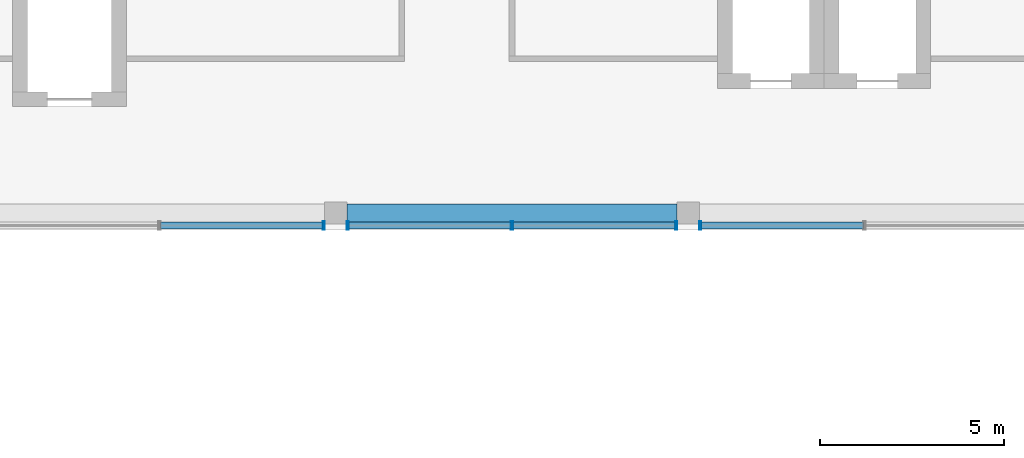
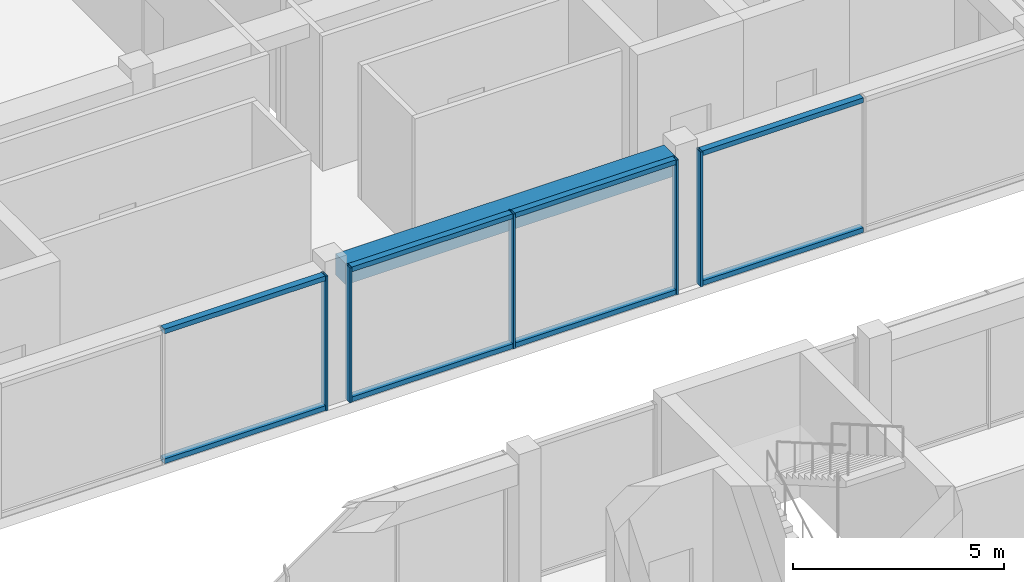
# One storey, part 10 of 28: 13 members, 1 beam, 3 elements without a shape of their own.
"""IFC4 building model written with IfcOpenShell, lengths in metres."""

from ifc_helpers import new_model, si_unit, direction, frame, origin, origin_2d, place, context, subcontext, project, spatial, rectangle, hollow_rectangle, extrude, material, layer, layer_set, material_profile, profile_set, type_object, element, aggregate, save


model = new_model("IFC4")

# Units and contexts
model_context = context("Model", 3, precision=1e-05, world=origin(), true_north=direction((0.0, 1.0)))
body_context = subcontext(model_context, "Body", "Model", "MODEL_VIEW")
ifc_project = project(units=[si_unit("LENGTHUNIT", "METRE"), si_unit("AREAUNIT", "SQUARE_METRE"), si_unit("VOLUMEUNIT", "CUBIC_METRE"), si_unit("PLANEANGLEUNIT", "RADIAN"), si_unit("MASSUNIT", "GRAM", prefix="KILO")], contexts=[model_context])

# Site, building, storey
site_placement = place(None, origin())
site = spatial("IfcSite", under=ifc_project, at=site_placement, CompositionType="ELEMENT")
building_placement = place(site_placement, origin())
building = spatial("IfcBuilding", under=site, at=building_placement, Name="Nzadi Deep Aquarium and Research Tower", CompositionType="ELEMENT")
storey_placement = place(building_placement, frame((0.0, 0.0, 73.89990234375)))
storey = spatial("IfcBuildingStorey", under=building, at=storey_placement, Name="L15", CompositionType="ELEMENT", Elevation=73.89990234375)

# Curtain wall, member
ifc_material_1 = material(Name="Aluminium unitised frame deep", Category="aluminium")
ifc_layer = layer(ifc_material_1, 0.22509765625)
ifc_layer_set = layer_set([ifc_layer], Name="Aluminium unitised frame deep")
curtain_wall_type = type_object("IfcCurtainWallType", Name="Curtain wall Unitised Deep 225", PredefinedType="NOTDEFINED", material=ifc_layer_set)
curtain_wall_1_placement = place(storey_placement, origin())
curtain_wall_1 = element("IfcCurtainWall", 1, at=curtain_wall_1_placement, inside=storey, type_object=curtain_wall_type, Name="Unitised curtain wall blade B south L15", PredefinedType="NOTDEFINED")
ifc_material_2 = material(Name="Aluminium unitised frame deep", Category="aluminium")
ifc_material_profile_1 = material_profile(ifc_material_2, hollow_rectangle(XDim=0.22509765625, YDim=0.06005859375, WallThickness=0.0048828125, at=origin_2d()))
ifc_profile_set_1 = profile_set([ifc_material_profile_1], Name="Aluminium unitised frame deep")
member_type_1 = type_object("IfcMemberType", Name="Mullion 60x225 Unitised Deep", PredefinedType="MULLION", material=ifc_profile_set_1)
member_1_placement = place(storey_placement, frame((18.8701171875, 27.262451171875, 0.0), z_axis=(0.0, 0.0, 1.0), x_axis=(0.0, 1.0, 0.0)))
member_1 = element("IfcMember", 2, at=member_1_placement, type_object=member_type_1, Name="CW185 mullion 3", PredefinedType="MULLION", context=body_context, shape_type="SweptSolid", body=[
    extrude(hollow_rectangle(XDim=0.22509765625, YDim=0.06005859375, WallThickness=0.0048828125, at=origin_2d()), origin(), (0.0, 0.0, 1.0), 3.900146484375),
])

# Curtain wall, members
curtain_wall_2_placement = place(storey_placement, origin())
curtain_wall_2 = element("IfcCurtainWall", 3, at=curtain_wall_2_placement, inside=storey, type_object=curtain_wall_type, Name="Unitised curtain wall blade B south L15", PredefinedType="NOTDEFINED")
member_2_placement = place(storey_placement, frame((19.530029296875, 27.262451171875, 0.0), z_axis=(0.0, 0.0, 1.0), x_axis=(0.0, 1.0, 0.0)))
member_2 = element("IfcMember", 4, at=member_2_placement, type_object=member_type_1, Name="CW186 mullion 1", PredefinedType="MULLION", context=body_context, shape_type="SweptSolid", body=[
    extrude(hollow_rectangle(XDim=0.22509765625, YDim=0.06005859375, WallThickness=0.0048828125, at=origin_2d()), origin(), (0.0, 0.0, 1.0), 3.900146484375),
])
member_3_placement = place(storey_placement, frame((24.0, 27.262451171875, 0.0), z_axis=(0.0, 0.0, 1.0), x_axis=(0.0, 1.0, 0.0)))
member_3 = element("IfcMember", 5, at=member_3_placement, type_object=member_type_1, Name="CW186 mullion 2", PredefinedType="MULLION", context=body_context, shape_type="SweptSolid", body=[
    extrude(hollow_rectangle(XDim=0.22509765625, YDim=0.06005859375, WallThickness=0.0048828125, at=origin_2d()), origin(), (0.0, 0.0, 1.0), 3.900146484375),
])
member_4_placement = place(storey_placement, frame((28.469970703125, 27.262451171875, 0.0), z_axis=(0.0, 0.0, 1.0), x_axis=(0.0, 1.0, 0.0)))
member_4 = element("IfcMember", 6, at=member_4_placement, type_object=member_type_1, Name="CW186 mullion 3", PredefinedType="MULLION", context=body_context, shape_type="SweptSolid", body=[
    extrude(hollow_rectangle(XDim=0.22509765625, YDim=0.06005859375, WallThickness=0.0048828125, at=origin_2d()), origin(), (0.0, 0.0, 1.0), 3.900146484375),
])

# Curtain wall, member
curtain_wall_3_placement = place(storey_placement, origin())
curtain_wall_3 = element("IfcCurtainWall", 7, at=curtain_wall_3_placement, inside=storey, type_object=curtain_wall_type, Name="Unitised curtain wall blade B south L15", PredefinedType="NOTDEFINED")
member_5_placement = place(storey_placement, frame((29.1298828125, 27.262451171875, 0.0), z_axis=(0.0, 0.0, 1.0), x_axis=(0.0, 1.0, 0.0)))
member_5 = element("IfcMember", 8, at=member_5_placement, type_object=member_type_1, Name="CW187 mullion 1", PredefinedType="MULLION", context=body_context, shape_type="SweptSolid", body=[
    extrude(hollow_rectangle(XDim=0.22509765625, YDim=0.06005859375, WallThickness=0.0048828125, at=origin_2d()), origin(), (0.0, 0.0, 1.0), 3.900146484375),
])

# Beam
ifc_material_3 = material(Name="Concrete C35/45", Category="concrete")
ifc_material_profile_2 = material_profile(ifc_material_3, rectangle(XDim=0.5, YDim=0.60009765625, at=origin_2d()))
ifc_profile_set_2 = profile_set([ifc_material_profile_2], Name="Concrete C35/45")
beam_type = type_object("IfcBeamType", Name="RC 500x600", PredefinedType="BEAM", material=ifc_profile_set_2)
beam_placement = place(storey_placement, frame((19.5, 27.60009765625, 3.60009765625), z_axis=(1.0, 0.0, 0.0), x_axis=(0.0, 1.0, 0.0)))
element("IfcBeam", 9, at=beam_placement, inside=storey, type_object=beam_type, Name="B-Z1-L15-L4-3", PredefinedType="BEAM", context=body_context, shape_type="SweptSolid", body=[
    extrude(rectangle(XDim=0.5, YDim=0.60009765625, at=origin_2d()), origin(), (0.0, 0.0, 1.0), 9.0),
])

# Member
ifc_material_4 = material(Name="Aluminium unitised frame deep", Category="aluminium")
ifc_material_profile_3 = material_profile(ifc_material_4, hollow_rectangle(XDim=0.179931640625, YDim=0.139892578125, WallThickness=0.0048828125, at=origin_2d()))
ifc_profile_set_3 = profile_set([ifc_material_profile_3], Name="Aluminium unitised frame deep")
member_type_2 = type_object("IfcMemberType", Name="Transom 140x180 Unitised Deep", PredefinedType="MULLION", material=ifc_profile_set_3)
member_6_placement = place(storey_placement, frame((14.429931640625, 27.262451171875, 0.070068359375), z_axis=(1.0, 0.0, 0.0), x_axis=(0.0, 1.0, 0.0)))
member_6 = element("IfcMember", 10, at=member_6_placement, type_object=member_type_2, Name="CW185 transom 2.1", PredefinedType="MULLION", context=body_context, shape_type="SweptSolid", body=[
    extrude(hollow_rectangle(XDim=0.179931640625, YDim=0.139892578125, WallThickness=0.0048828125, at=origin_2d()), origin(), (0.0, 0.0, 1.0), 4.41015625),
])

member_7_placement = place(storey_placement, frame((14.429931640625, 27.262451171875, 3.830078125), z_axis=(1.0, 0.0, 0.0), x_axis=(0.0, 1.0, 0.0)))
member_7 = element("IfcMember", 11, at=member_7_placement, type_object=member_type_2, Name="CW185 transom 2.2", PredefinedType="MULLION", context=body_context, shape_type="SweptSolid", body=[
    extrude(hollow_rectangle(XDim=0.179931640625, YDim=0.139892578125, WallThickness=0.0048828125, at=origin_2d()), origin(), (0.0, 0.0, 1.0), 4.41015625),
])

aggregate(curtain_wall_1, [member_1, member_6, member_7])

member_8_placement = place(storey_placement, frame((19.56005859375, 27.262451171875, 0.070068359375), z_axis=(1.0, 0.0, 0.0), x_axis=(0.0, 1.0, 0.0)))
member_8 = element("IfcMember", 12, at=member_8_placement, type_object=member_type_2, Name="CW186 transom 1.1", PredefinedType="MULLION", context=body_context, shape_type="SweptSolid", body=[
    extrude(hollow_rectangle(XDim=0.179931640625, YDim=0.139892578125, WallThickness=0.0048828125, at=origin_2d()), origin(), (0.0, 0.0, 1.0), 4.409912109375),
])

member_9_placement = place(storey_placement, frame((19.56005859375, 27.262451171875, 3.830078125), z_axis=(1.0, 0.0, 0.0), x_axis=(0.0, 1.0, 0.0)))
member_9 = element("IfcMember", 13, at=member_9_placement, type_object=member_type_2, Name="CW186 transom 1.2", PredefinedType="MULLION", context=body_context, shape_type="SweptSolid", body=[
    extrude(hollow_rectangle(XDim=0.179931640625, YDim=0.139892578125, WallThickness=0.0048828125, at=origin_2d()), origin(), (0.0, 0.0, 1.0), 4.409912109375),
])

member_10_placement = place(storey_placement, frame((24.030029296875, 27.262451171875, 0.070068359375), z_axis=(1.0, 0.0, 0.0), x_axis=(0.0, 1.0, 0.0)))
member_10 = element("IfcMember", 14, at=member_10_placement, type_object=member_type_2, Name="CW186 transom 2.1", PredefinedType="MULLION", context=body_context, shape_type="SweptSolid", body=[
    extrude(hollow_rectangle(XDim=0.179931640625, YDim=0.139892578125, WallThickness=0.0048828125, at=origin_2d()), origin(), (0.0, 0.0, 1.0), 4.409912109375),
])

member_11_placement = place(storey_placement, frame((24.030029296875, 27.262451171875, 3.830078125), z_axis=(1.0, 0.0, 0.0), x_axis=(0.0, 1.0, 0.0)))
member_11 = element("IfcMember", 15, at=member_11_placement, type_object=member_type_2, Name="CW186 transom 2.2", PredefinedType="MULLION", context=body_context, shape_type="SweptSolid", body=[
    extrude(hollow_rectangle(XDim=0.179931640625, YDim=0.139892578125, WallThickness=0.0048828125, at=origin_2d()), origin(), (0.0, 0.0, 1.0), 4.409912109375),
])

aggregate(curtain_wall_2, [member_2, member_3, member_4, member_8, member_9, member_10, member_11])

member_12_placement = place(storey_placement, frame((29.159912109375, 27.262451171875, 0.070068359375), z_axis=(1.0, 0.0, 0.0), x_axis=(0.0, 1.0, 0.0)))
member_12 = element("IfcMember", 16, at=member_12_placement, type_object=member_type_2, Name="CW187 transom 1.1", PredefinedType="MULLION", context=body_context, shape_type="SweptSolid", body=[
    extrude(hollow_rectangle(XDim=0.179931640625, YDim=0.139892578125, WallThickness=0.0048828125, at=origin_2d()), origin(), (0.0, 0.0, 1.0), 4.41015625),
])

member_13_placement = place(storey_placement, frame((29.159912109375, 27.262451171875, 3.830078125), z_axis=(1.0, 0.0, 0.0), x_axis=(0.0, 1.0, 0.0)))
member_13 = element("IfcMember", 17, at=member_13_placement, type_object=member_type_2, Name="CW187 transom 1.2", PredefinedType="MULLION", context=body_context, shape_type="SweptSolid", body=[
    extrude(hollow_rectangle(XDim=0.179931640625, YDim=0.139892578125, WallThickness=0.0048828125, at=origin_2d()), origin(), (0.0, 0.0, 1.0), 4.41015625),
])

aggregate(curtain_wall_3, [member_5, member_12, member_13])

save(model, "model.ifc")
